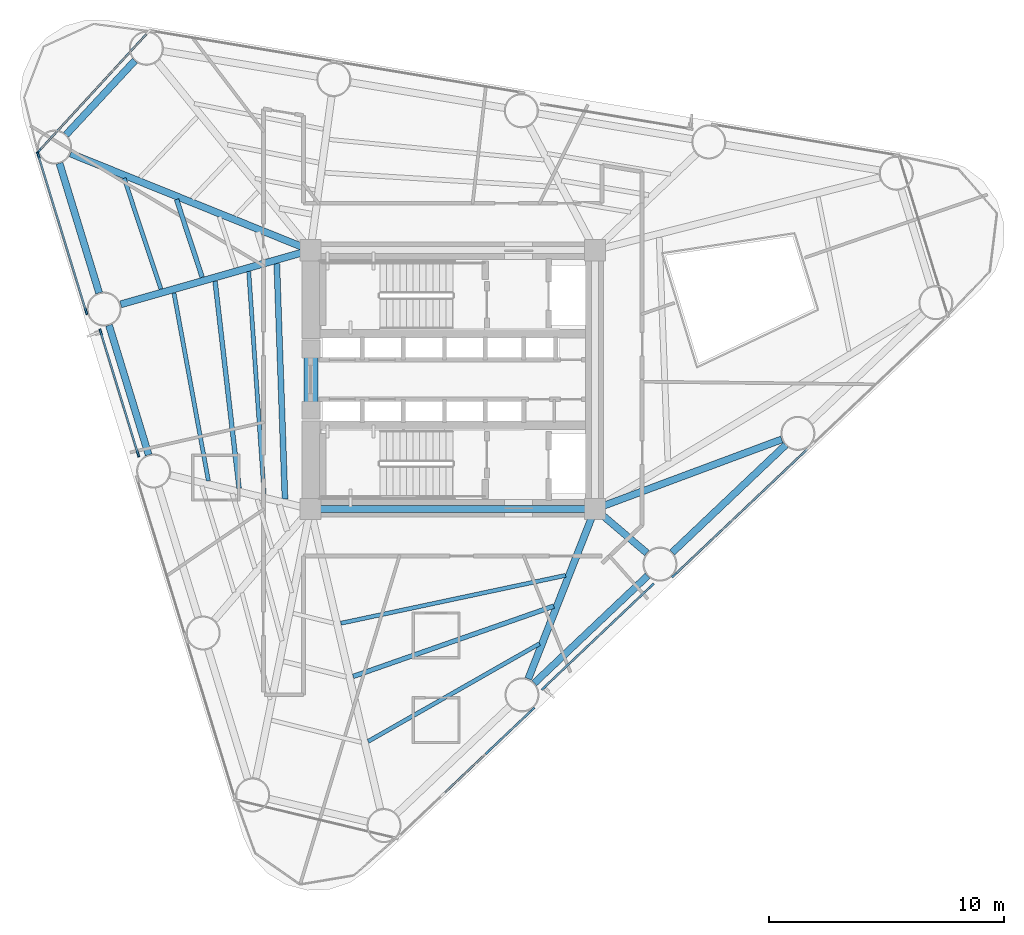
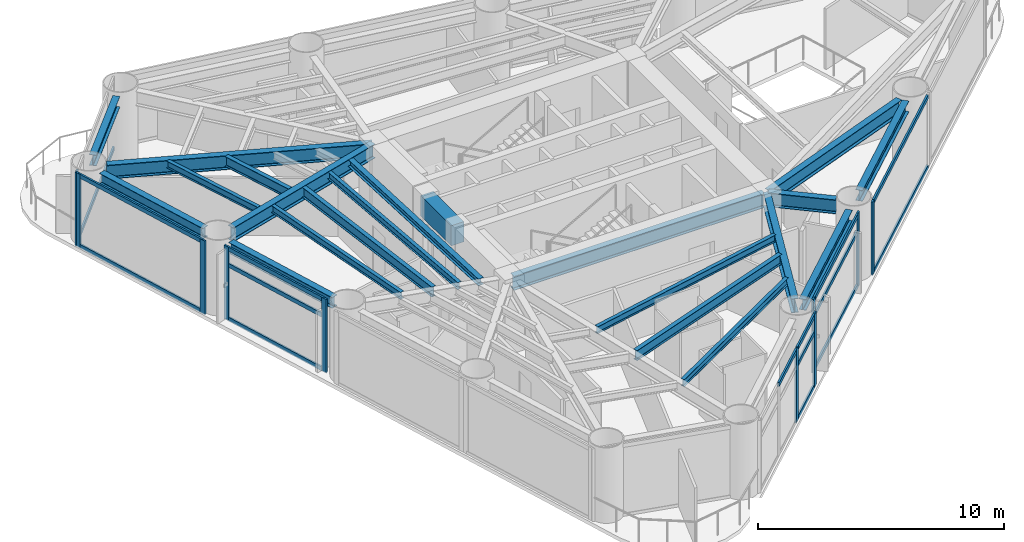
# One storey, part 2 of 10: 25 members, 21 beams, 6 elements without a shape of their own.
"""IFC4 building model written with IfcOpenShell, lengths in metres."""

from ifc_helpers import new_model, si_unit, direction, frame, origin, origin_2d, place, context, subcontext, project, spatial, rectangle, i_section, extrude, source, transform, mapped, material, layer, layer_set, material_profile, profile_set, type_object, element, aggregate, save


model = new_model("IFC4")

# Units and contexts
model_context = context("Model", 3, precision=1e-05, world=origin(), true_north=direction((0.0, 1.0)))
body_context = subcontext(model_context, "Body", "Model", "MODEL_VIEW")
ifc_project = project(units=[si_unit("LENGTHUNIT", "METRE"), si_unit("AREAUNIT", "SQUARE_METRE"), si_unit("VOLUMEUNIT", "CUBIC_METRE"), si_unit("PLANEANGLEUNIT", "RADIAN"), si_unit("MASSUNIT", "GRAM", prefix="KILO")], contexts=[model_context])

# Site, building, storey
site_placement = place(None, origin())
site = spatial("IfcSite", under=ifc_project, at=site_placement, CompositionType="ELEMENT")
building_placement = place(site_placement, origin())
building = spatial("IfcBuilding", under=site, at=building_placement, Name="Yunling Apex Tower", CompositionType="ELEMENT")
storey_placement = place(building_placement, frame((0.0, 0.0, 93.64990234375)))
storey = spatial("IfcBuildingStorey", under=building, at=storey_placement, Name="L23", CompositionType="ELEMENT", Elevation=93.64990234375)

# Beams
ifc_material_1 = material(Name="Concrete C60", Category="concrete")
ifc_material_profile_1 = material_profile(ifc_material_1, rectangle(XDim=0.60009765625, YDim=1.0, at=origin_2d()))
ifc_profile_set_1 = profile_set([ifc_material_profile_1], Name="Concrete C60")
beam_type_1 = type_object("IfcBeamType", Name="BC-CPL-1", PredefinedType="BEAM", material=ifc_profile_set_1)
shared_shape_1 = source(origin(), body_context, "Body", "SweptSolid", [
    extrude(rectangle(XDim=0.60009765625, YDim=1.0, at=origin_2d()), origin(), (0.0, 0.0, 1.0), 2.5),
])
beam_1_placement = place(storey_placement, frame((-6.02490234375, -1.25, 3.065185546875), z_axis=(0.0, 1.0, 0.0), x_axis=(-1.0, 0.0, 0.0)))
element("IfcBeam", 1, at=beam_1_placement, inside=storey, type_object=beam_type_1, Name="L23 Core West Portal Coupling Beam", PredefinedType="BEAM", context=body_context, shape_type="MappedRepresentation", body=[
    mapped(shared_shape_1, transform((0.0, 0.0, 0.0), scale=1.0)),
])
ifc_material_2 = material(Name="Steel Q355B", Category="steel")
ifc_material_profile_2 = material_profile(ifc_material_2, i_section(OverallWidth=0.300048828125, OverallDepth=0.699951171875, WebThickness=0.012939453125, FlangeThickness=0.02392578125, FilletRadius=0.02587890625, at=origin_2d()))
ifc_profile_set_2 = profile_set([ifc_material_profile_2], Name="Steel Q355B")
beam_type_2 = type_object("IfcBeamType", Name="BG-PRI-3", PredefinedType="USERDEFINED", material=ifc_profile_set_2)
shared_shape_2 = source(origin(), body_context, "Body", "SweptSolid", [
    extrude(i_section(OverallWidth=0.300048828125, OverallDepth=0.699951171875, WebThickness=0.012939453125, FlangeThickness=0.02392578125, FilletRadius=0.02587890625, at=origin_2d()), origin(), (0.0, 0.0, 1.0), 11.7998046875),
])
beam_2_placement = place(storey_placement, frame((-5.89990234375, -5.5, 3.215087890625), z_axis=(1.0, 0.0, 0.0), x_axis=(0.0, 1.0, 0.0)))
element("IfcBeam", 2, at=beam_2_placement, inside=storey, type_object=beam_type_2, Name="L23 Core Ring Tie Beam 1", ObjectType="GIRDER", PredefinedType="USERDEFINED", context=body_context, shape_type="MappedRepresentation", body=[
    mapped(shared_shape_2, transform((0.0, 0.0, 0.0), scale=1.0)),
])
ifc_material_profile_3 = material_profile(ifc_material_2, i_section(OverallWidth=0.300048828125, OverallDepth=0.5400390625, WebThickness=0.011962890625, FlangeThickness=0.02001953125, FilletRadius=0.02392578125, at=origin_2d()))
ifc_profile_set_3 = profile_set([ifc_material_profile_3], Name="Steel Q355B")
beam_type_3 = type_object("IfcBeamType", Name="BP-SPN-1", PredefinedType="SPANDREL", material=ifc_profile_set_3)
shared_shape_3 = source(origin(), body_context, "Body", "SweptSolid", [
    extrude(i_section(OverallWidth=0.300048828125, OverallDepth=0.5400390625, WebThickness=0.011962890625, FlangeThickness=0.02001953125, FilletRadius=0.02392578125, at=origin_2d()), origin(), (0.0, 0.0, 1.0), 6.6416015625),
])
for number, where, z_axis, x_axis, name in (
    (3, (3.465087890625, -12.90771484375, 3.295166015625), (0.725873473547, 0.687828249203, 0.0), (-0.687828249203, 0.725873473547, 0.0), "L23 Perimeter Spandrel Beam 2"),
    (4, (9.330078125, -7.35009765625, 3.295166015625), (0.72585608204, 0.687846602205, 0.0), (-0.687846602205, 0.72585608204, 0.0), "L23 Perimeter Spandrel Beam 3"),
):
    element("IfcBeam", number, at=place(storey_placement, frame(where, z_axis=z_axis, x_axis=x_axis)), inside=storey, type_object=beam_type_3, Name=name, PredefinedType="SPANDREL", context=body_context, shape_type="MappedRepresentation", body=[
        mapped(shared_shape_3, transform((0.0, 0.0, 0.0), scale=1.0)),
    ])
shared_shape_4 = source(origin(), body_context, "Body", "SweptSolid", [
    extrude(i_section(OverallWidth=0.300048828125, OverallDepth=0.5400390625, WebThickness=0.011962890625, FlangeThickness=0.02001953125, FilletRadius=0.02392578125, at=origin_2d()), origin(), (0.0, 0.0, 1.0), 4.296875),
])
beam_3_placement = place(storey_placement, frame((-13.513671875, 13.55810546875, 3.295166015625), z_axis=(-0.680634144105, -0.732623478929, 0.0), x_axis=(0.732623478929, -0.680634144105, 0.0)))
element("IfcBeam", 5, at=beam_3_placement, inside=storey, type_object=beam_type_3, Name="L23 Perimeter Spandrel Beam 10", PredefinedType="SPANDREL", context=body_context, shape_type="MappedRepresentation", body=[
    mapped(shared_shape_4, transform((0.0, 0.0, 0.0), scale=1.0)),
])
shared_shape_5 = source(origin(), body_context, "Body", "SweptSolid", [
    extrude(i_section(OverallWidth=0.300048828125, OverallDepth=0.5400390625, WebThickness=0.011962890625, FlangeThickness=0.02001953125, FilletRadius=0.02392578125, at=origin_2d()), origin(), (0.0, 0.0, 1.0), 5.76220703125),
])
for number, where, z_axis, x_axis, name in (
    (6, (-16.71728515625, 9.19580078125, 3.295166015625), (0.292346626925, -0.956312422656, 0.0), (0.956312422656, 0.292346626925, 0.0), "L23 Perimeter Spandrel Beam 11"),
    (7, (-14.6123046875, 2.31005859375, 3.295166015625), (0.292385374143, -0.956300576695, 0.0), (0.956300576695, 0.292385374143, 0.0), "L23 Perimeter Spandrel Beam 12"),
):
    element("IfcBeam", number, at=place(storey_placement, frame(where, z_axis=z_axis, x_axis=x_axis)), inside=storey, type_object=beam_type_3, Name=name, PredefinedType="SPANDREL", context=body_context, shape_type="MappedRepresentation", body=[
        mapped(shared_shape_5, transform((0.0, 0.0, 0.0), scale=1.0)),
    ])
shared_shape_6 = source(origin(), body_context, "Body", "SweptSolid", [
    extrude(i_section(OverallWidth=0.300048828125, OverallDepth=0.699951171875, WebThickness=0.012939453125, FlangeThickness=0.02392578125, FilletRadius=0.02587890625, at=origin_2d()), origin(), (0.0, 0.0, 1.0), 7.67822265625),
])
beam_4_placement = place(storey_placement, frame((3.21142578125, -12.72021484375, 3.215087890625), z_axis=(0.365885513893, 0.930659868439, 0.0), x_axis=(-0.930659868439, 0.365885513893, 0.0)))
element("IfcBeam", 8, at=beam_4_placement, inside=storey, type_object=beam_type_2, Name="L23 Radial Primary Girder R02", ObjectType="GIRDER", PredefinedType="USERDEFINED", context=body_context, shape_type="MappedRepresentation", body=[
    mapped(shared_shape_6, transform((0.0, 0.0, 0.0), scale=1.0)),
])
shared_shape_7 = source(origin(), body_context, "Body", "SweptSolid", [
    extrude(i_section(OverallWidth=0.300048828125, OverallDepth=0.699951171875, WebThickness=0.012939453125, FlangeThickness=0.02392578125, FilletRadius=0.02587890625, at=origin_2d()), origin(), (0.0, 0.0, 1.0), 2.80712890625),
])
beam_5_placement = place(storey_placement, frame((8.24951171875, -7.3701171875, 3.215087890625), z_axis=(-0.761816983267, 0.647792315489, 0.0), x_axis=(-0.647792315489, -0.761816983267, 0.0)))
element("IfcBeam", 9, at=beam_5_placement, inside=storey, type_object=beam_type_2, Name="L23 Radial Primary Girder R03", ObjectType="GIRDER", PredefinedType="USERDEFINED", context=body_context, shape_type="MappedRepresentation", body=[
    mapped(shared_shape_7, transform((0.0, 0.0, 0.0), scale=1.0)),
])
shared_shape_8 = source(origin(), body_context, "Body", "SweptSolid", [
    extrude(i_section(OverallWidth=0.300048828125, OverallDepth=0.699951171875, WebThickness=0.012939453125, FlangeThickness=0.02392578125, FilletRadius=0.02587890625, at=origin_2d()), origin(), (0.0, 0.0, 1.0), 8.388916015625),
])
beam_6_placement = place(storey_placement, frame((13.98583984375, -2.54296875, 3.215087890625), z_axis=(-0.937056723422, -0.349177171489, 0.0), x_axis=(0.349177171489, -0.937056723422, 0.0)))
element("IfcBeam", 10, at=beam_6_placement, inside=storey, type_object=beam_type_2, Name="L23 Radial Primary Girder R04", ObjectType="GIRDER", PredefinedType="USERDEFINED", context=body_context, shape_type="MappedRepresentation", body=[
    mapped(shared_shape_8, transform((0.0, 0.0, 0.0), scale=1.0)),
])
shared_shape_9 = source(origin(), body_context, "Body", "SweptSolid", [
    extrude(i_section(OverallWidth=0.300048828125, OverallDepth=0.699951171875, WebThickness=0.012939453125, FlangeThickness=0.02392578125, FilletRadius=0.02587890625, at=origin_2d()), origin(), (0.0, 0.0, 1.0), 10.91455078125),
])
beam_7_placement = place(storey_placement, frame((-16.247802734375, 9.609375, 3.215087890625), z_axis=(0.927520283233, -0.373772824309, 0.0), x_axis=(0.373772824309, 0.927520283233, 0.0)))
element("IfcBeam", 11, at=beam_7_placement, inside=storey, type_object=beam_type_2, Name="L23 Radial Primary Girder R11", ObjectType="GIRDER", PredefinedType="USERDEFINED", context=body_context, shape_type="MappedRepresentation", body=[
    mapped(shared_shape_9, transform((0.0, 0.0, 0.0), scale=1.0)),
])
shared_shape_10 = source(origin(), body_context, "Body", "SweptSolid", [
    extrude(i_section(OverallWidth=0.300048828125, OverallDepth=0.699951171875, WebThickness=0.012939453125, FlangeThickness=0.02392578125, FilletRadius=0.02587890625, at=origin_2d()), origin(), (0.0, 0.0, 1.0), 8.309326171875),
])
beam_8_placement = place(storey_placement, frame((-14.117431640625, 3.19873046875, 3.215087890625), z_axis=(0.961641387397, 0.274309755652, 0.0), x_axis=(-0.274309755652, 0.961641387397, 0.0)))
element("IfcBeam", 12, at=beam_8_placement, inside=storey, type_object=beam_type_2, Name="L23 Radial Primary Girder R12", ObjectType="GIRDER", PredefinedType="USERDEFINED", context=body_context, shape_type="MappedRepresentation", body=[
    mapped(shared_shape_10, transform((0.0, 0.0, 0.0), scale=1.0)),
])
ifc_material_profile_4 = material_profile(ifc_material_2, i_section(OverallWidth=0.199951171875, OverallDepth=0.5, WebThickness=0.010009765625, FlangeThickness=0.01611328125, FilletRadius=0.02001953125, at=origin_2d()))
ifc_profile_set_4 = profile_set([ifc_material_profile_4], Name="Steel Q355B")
beam_type_4 = type_object("IfcBeamType", Name="BS-SEC-2", PredefinedType="BEAM", material=ifc_profile_set_4)
shared_shape_11 = source(origin(), body_context, "Body", "SweptSolid", [
    extrude(i_section(OverallWidth=0.199951171875, OverallDepth=0.5, WebThickness=0.010009765625, FlangeThickness=0.01611328125, FilletRadius=0.02001953125, at=origin_2d()), origin(), (0.0, 0.0, 1.0), 9.03759765625),
])
beam_9_placement = place(storey_placement, frame((-4.23193359375, -12.619140625, 3.315185546875), z_axis=(0.943677540759, 0.330866588018, 0.0), x_axis=(-0.330866588018, 0.943677540759, 0.0)))
element("IfcBeam", 13, at=beam_9_placement, inside=storey, type_object=beam_type_4, Name="L23 Composite Floor Beam BS-1", PredefinedType="BEAM", context=body_context, shape_type="MappedRepresentation", body=[
    mapped(shared_shape_11, transform((0.0, 0.0, 0.0), scale=1.0)),
])
ifc_material_profile_5 = material_profile(ifc_material_2, i_section(OverallWidth=0.175048828125, OverallDepth=0.35009765625, WebThickness=0.007080078125, FlangeThickness=0.010986328125, FilletRadius=0.013916015625, at=origin_2d()))
ifc_profile_set_5 = profile_set([ifc_material_profile_5], Name="Steel Q355B")
beam_type_5 = type_object("IfcBeamType", Name="BJ-JST-1", PredefinedType="JOIST", material=ifc_profile_set_5)
shared_shape_12 = source(origin(), body_context, "Body", "SweptSolid", [
    extrude(i_section(OverallWidth=0.175048828125, OverallDepth=0.35009765625, WebThickness=0.007080078125, FlangeThickness=0.010986328125, FilletRadius=0.013916015625, at=origin_2d()), origin(), (0.0, 0.0, 1.0), 8.38671875),
])
beam_10_placement = place(storey_placement, frame((-3.59619140625, -15.3798828125, 3.39013671875), z_axis=(0.868817593772, 0.495132294192, 0.0), x_axis=(-0.495132294192, 0.868817593772, 0.0)))
element("IfcBeam", 14, at=beam_10_placement, inside=storey, type_object=beam_type_5, Name="L23 Composite Floor Joist BJ1-1", PredefinedType="JOIST", context=body_context, shape_type="MappedRepresentation", body=[
    mapped(shared_shape_12, transform((0.0, 0.0, 0.0), scale=1.0)),
])
shared_shape_13 = source(origin(), body_context, "Body", "SweptSolid", [
    extrude(i_section(OverallWidth=0.175048828125, OverallDepth=0.35009765625, WebThickness=0.007080078125, FlangeThickness=0.010986328125, FilletRadius=0.013916015625, at=origin_2d()), origin(), (0.0, 0.0, 1.0), 9.767578125),
])
beam_11_placement = place(storey_placement, frame((-4.756591796875, -10.3583984375, 3.39013671875), z_axis=(0.978052637888, 0.208357955263, 0.0), x_axis=(-0.208357955263, 0.978052637888, 0.0)))
element("IfcBeam", 15, at=beam_11_placement, inside=storey, type_object=beam_type_5, Name="L23 Composite Floor Joist BJ3-1", PredefinedType="JOIST", context=body_context, shape_type="MappedRepresentation", body=[
    mapped(shared_shape_13, transform((0.0, 0.0, 0.0), scale=1.0)),
])
shared_shape_14 = source(origin(), body_context, "Body", "SweptSolid", [
    extrude(i_section(OverallWidth=0.199951171875, OverallDepth=0.5, WebThickness=0.010009765625, FlangeThickness=0.01611328125, FilletRadius=0.02001953125, at=origin_2d()), origin(), (0.0, 0.0, 1.0), 3.484130859375),
])
beam_12_placement = place(storey_placement, frame((-11.7431640625, 7.662353515625, 3.315185546875), z_axis=(0.313220106306, -0.949680559455, 0.0), x_axis=(0.949680559455, 0.313220106306, 0.0)))
element("IfcBeam", 16, at=beam_12_placement, inside=storey, type_object=beam_type_4, Name="L23 Composite Floor Beam BS-11", PredefinedType="BEAM", context=body_context, shape_type="MappedRepresentation", body=[
    mapped(shared_shape_14, transform((0.0, 0.0, 0.0), scale=1.0)),
])
shared_shape_15 = source(origin(), body_context, "Body", "SweptSolid", [
    extrude(i_section(OverallWidth=0.175048828125, OverallDepth=0.35009765625, WebThickness=0.007080078125, FlangeThickness=0.010986328125, FilletRadius=0.013916015625, at=origin_2d()), origin(), (0.0, 0.0, 1.0), 4.959716796875),
])
beam_13_placement = place(storey_placement, frame((-13.97021484375, 8.56005859375, 3.39013671875), z_axis=(0.314588147489, -0.949228264149, 0.0), x_axis=(0.949228264149, 0.314588147489, 0.0)))
element("IfcBeam", 17, at=beam_13_placement, inside=storey, type_object=beam_type_5, Name="L23 Composite Floor Joist BJ1-11", PredefinedType="JOIST", context=body_context, shape_type="MappedRepresentation", body=[
    mapped(shared_shape_15, transform((0.0, 0.0, 0.0), scale=1.0)),
])
shared_shape_16 = source(origin(), body_context, "Body", "SweptSolid", [
    extrude(i_section(OverallWidth=0.199951171875, OverallDepth=0.5, WebThickness=0.010009765625, FlangeThickness=0.01611328125, FilletRadius=0.02001953125, at=origin_2d()), origin(), (0.0, 0.0, 1.0), 8.85009765625),
])
beam_14_placement = place(storey_placement, frame((-10.103759765625, 4.179443359375, 3.315185546875), z_axis=(0.115144483353, -0.993348754443, 0.0), x_axis=(0.993348754443, 0.115144483353, 0.0)))
element("IfcBeam", 18, at=beam_14_placement, inside=storey, type_object=beam_type_4, Name="L23 Composite Floor Beam BS-12", PredefinedType="BEAM", context=body_context, shape_type="MappedRepresentation", body=[
    mapped(shared_shape_16, transform((0.0, 0.0, 0.0), scale=1.0)),
])
shared_shape_17 = source(origin(), body_context, "Body", "SweptSolid", [
    extrude(i_section(OverallWidth=0.175048828125, OverallDepth=0.35009765625, WebThickness=0.007080078125, FlangeThickness=0.010986328125, FilletRadius=0.013916015625, at=origin_2d()), origin(), (0.0, 0.0, 1.0), 8.113525390625),
])
beam_15_placement = place(storey_placement, frame((-11.851318359375, 3.6796875, 3.39013671875), z_axis=(0.180333691295, -0.983605489912, 0.0), x_axis=(0.983605489912, 0.180333691295, 0.0)))
element("IfcBeam", 19, at=beam_15_placement, inside=storey, type_object=beam_type_5, Name="L23 Composite Floor Joist BJ1-12", PredefinedType="JOIST", context=body_context, shape_type="MappedRepresentation", body=[
    mapped(shared_shape_17, transform((0.0, 0.0, 0.0), scale=1.0)),
])
shared_shape_18 = source(origin(), body_context, "Body", "SweptSolid", [
    extrude(i_section(OverallWidth=0.175048828125, OverallDepth=0.35009765625, WebThickness=0.007080078125, FlangeThickness=0.010986328125, FilletRadius=0.013916015625, at=origin_2d()), origin(), (0.0, 0.0, 1.0), 9.478515625),
])
beam_16_placement = place(storey_placement, frame((-8.6728515625, 4.589111328125, 3.39013671875), z_axis=(0.068925846819, -0.997621785869, 0.0), x_axis=(0.997621785869, 0.068925846819, 0.0)))
element("IfcBeam", 20, at=beam_16_placement, inside=storey, type_object=beam_type_5, Name="L23 Composite Floor Joist BJ3-12", PredefinedType="JOIST", context=body_context, shape_type="MappedRepresentation", body=[
    mapped(shared_shape_18, transform((0.0, 0.0, 0.0), scale=1.0)),
])
ifc_material_profile_6 = material_profile(ifc_material_2, i_section(OverallWidth=0.25, OverallDepth=0.340087890625, WebThickness=0.009033203125, FlangeThickness=0.013916015625, FilletRadius=0.01806640625, at=origin_2d()))
ifc_profile_set_6 = profile_set([ifc_material_profile_6], Name="Steel Q355B")
beam_type_6 = type_object("IfcBeamType", Name="BJ-JST-2", PredefinedType="JOIST", material=ifc_profile_set_6)
shared_shape_19 = source(origin(), body_context, "Body", "SweptSolid", [
    extrude(i_section(OverallWidth=0.25, OverallDepth=0.340087890625, WebThickness=0.009033203125, FlangeThickness=0.013916015625, FilletRadius=0.01806640625, at=origin_2d()), origin(), (0.0, 0.0, 1.0), 10.016357421875),
])
beam_17_placement = place(storey_placement, frame((-7.479736328125, 4.9306640625, 3.39501953125), z_axis=(0.034684741857, -0.999398303322, 0.0), x_axis=(0.999398303322, 0.034684741857, 0.0)))
element("IfcBeam", 21, at=beam_17_placement, inside=storey, type_object=beam_type_6, Name="L23 Composite Floor Joist BJ2-12", PredefinedType="JOIST", context=body_context, shape_type="MappedRepresentation", body=[
    mapped(shared_shape_19, transform((0.0, 0.0, 0.0), scale=1.0)),
])

# Curtain wall, members
ifc_material_3 = material(Name="Bronze anodised aluminium", Category="aluminium")
ifc_layer = layer(ifc_material_3, 0.260009765625)
ifc_layer_set = layer_set([ifc_layer], Name="Bronze anodised aluminium")
curtain_wall_type = type_object("IfcCurtainWallType", Name="CW-SYS-2", PredefinedType="NOTDEFINED", material=ifc_layer_set)
curtain_wall_1_placement = place(storey_placement, origin())
curtain_wall_1 = element("IfcCurtainWall", 22, at=curtain_wall_1_placement, inside=storey, type_object=curtain_wall_type, Name="CW-L23-F1-B1", PredefinedType="NOTDEFINED")
ifc_material_profile_7 = material_profile(ifc_material_3, rectangle(XDim=0.0849609375, YDim=0.260009765625, at=origin_2d()))
ifc_profile_set_7 = profile_set([ifc_material_profile_7], Name="Bronze anodised aluminium")
member_type_1 = type_object("IfcMemberType", Name="CW-MUL-2", PredefinedType="MULLION", material=ifc_profile_set_7)
shared_shape_20 = source(origin(), body_context, "Body", "SweptSolid", [
    extrude(rectangle(XDim=0.0849609375, YDim=0.260009765625, at=origin_2d()), origin(), (0.0, 0.0, 1.0), 3.664794921875),
])
member_1_placement = place(storey_placement, frame((1.491943359375, -15.824951171875, -0.0498046875), z_axis=(0.0, 0.0, 1.0), x_axis=(-0.687861264918, 0.72584218686, 0.0)))
member_1 = element("IfcMember", 23, at=member_1_placement, type_object=member_type_1, Name="CW-SYS-2 mullion 3", PredefinedType="MULLION", context=body_context, shape_type="MappedRepresentation", body=[
    mapped(shared_shape_20, transform((0.0, 0.0, 0.0), scale=1.0)),
])
member_2_placement = place(storey_placement, frame((3.377197265625, -14.038330078125, -0.0498046875), z_axis=(0.0, 0.0, 1.0), x_axis=(-0.687861264918, 0.72584218686, 0.0)))
member_2 = element("IfcMember", 24, at=member_2_placement, type_object=member_type_1, Name="CW-SYS-2 mullion 4", PredefinedType="MULLION", context=body_context, shape_type="MappedRepresentation", body=[
    mapped(shared_shape_20, transform((0.0, 0.0, 0.0), scale=1.0)),
])

curtain_wall_2_placement = place(storey_placement, origin())
curtain_wall_2 = element("IfcCurtainWall", 25, at=curtain_wall_2_placement, inside=storey, type_object=curtain_wall_type, Name="CW-L23-F1-B2", PredefinedType="NOTDEFINED")
member_3_placement = place(storey_placement, frame((3.87646484375, -13.096923828125, -0.0498046875), z_axis=(0.0, 0.0, 1.0), x_axis=(-0.687844480924, 0.725858092234, 0.0)))
member_3 = element("IfcMember", 26, at=member_3_placement, type_object=member_type_1, Name="CW-SYS-2 mullion 1", PredefinedType="MULLION", context=body_context, shape_type="MappedRepresentation", body=[
    mapped(shared_shape_20, transform((0.0, 0.0, 0.0), scale=1.0)),
])
member_4_placement = place(storey_placement, frame((8.452880859375, -8.76025390625, -0.0498046875), z_axis=(0.0, 0.0, 1.0), x_axis=(-0.687844480924, 0.725858092234, 0.0)))
member_4 = element("IfcMember", 27, at=member_4_placement, type_object=member_type_1, Name="CW-SYS-2 mullion 2", PredefinedType="MULLION", context=body_context, shape_type="MappedRepresentation", body=[
    mapped(shared_shape_20, transform((0.0, 0.0, 0.0), scale=1.0)),
])

# Curtain wall, member
curtain_wall_3_placement = place(storey_placement, origin())
curtain_wall_3 = element("IfcCurtainWall", 28, at=curtain_wall_3_placement, inside=storey, type_object=curtain_wall_type, Name="CW-L23-F1-B3", PredefinedType="NOTDEFINED")
member_5_placement = place(storey_placement, frame((9.419921875, -8.312255859375, -0.0498046875), z_axis=(0.0, 0.0, 1.0), x_axis=(-0.687861264918, 0.72584218686, 0.0)))
member_5 = element("IfcMember", 29, at=member_5_placement, type_object=member_type_1, Name="CW-SYS-2 mullion 1", PredefinedType="MULLION", context=body_context, shape_type="MappedRepresentation", body=[
    mapped(shared_shape_20, transform((0.0, 0.0, 0.0), scale=1.0)),
])

curtain_wall_4_placement = place(storey_placement, origin())
curtain_wall_4 = element("IfcCurtainWall", 30, at=curtain_wall_4_placement, inside=storey, type_object=curtain_wall_type, Name="CW-L23-CRN2", PredefinedType="NOTDEFINED")
member_6_placement = place(storey_placement, frame((-17.6064453125, 9.6982421875, -0.0498046875), z_axis=(0.0, 0.0, 1.0), x_axis=(0.736184624933, -0.676780760669, 0.0)))
member_6 = element("IfcMember", 31, at=member_6_placement, type_object=member_type_1, Name="CW-SYS-2 mullion 2", PredefinedType="MULLION", context=body_context, shape_type="MappedRepresentation", body=[
    mapped(shared_shape_20, transform((0.0, 0.0, 0.0), scale=1.0)),
])

# Curtain wall, members
curtain_wall_5_placement = place(storey_placement, origin())
curtain_wall_5 = element("IfcCurtainWall", 32, at=curtain_wall_5_placement, inside=storey, type_object=curtain_wall_type, Name="CW-L23-F3-B1", PredefinedType="NOTDEFINED")
member_7_placement = place(storey_placement, frame((-17.61865234375, 9.5439453125, -0.0498046875), z_axis=(0.0, 0.0, 1.0), x_axis=(0.956304476342, 0.292372619321, 0.0)))
member_7 = element("IfcMember", 33, at=member_7_placement, type_object=member_type_1, Name="CW-SYS-2 mullion 1", PredefinedType="MULLION", context=body_context, shape_type="MappedRepresentation", body=[
    mapped(shared_shape_20, transform((0.0, 0.0, 0.0), scale=1.0)),
])
member_8_placement = place(storey_placement, frame((-15.5849609375, 2.892578125, -0.0498046875), z_axis=(0.0, 0.0, 1.0), x_axis=(0.956304476342, 0.292372619321, 0.0)))
member_8 = element("IfcMember", 34, at=member_8_placement, type_object=member_type_1, Name="CW-SYS-2 mullion 2", PredefinedType="MULLION", context=body_context, shape_type="MappedRepresentation", body=[
    mapped(shared_shape_20, transform((0.0, 0.0, 0.0), scale=1.0)),
])

curtain_wall_6_placement = place(storey_placement, origin())
curtain_wall_6 = element("IfcCurtainWall", 35, at=curtain_wall_6_placement, inside=storey, type_object=curtain_wall_type, Name="CW-L23-F3-B2", PredefinedType="NOTDEFINED")
member_9_placement = place(storey_placement, frame((-14.964599609375, 2.026123046875, -0.0498046875), z_axis=(0.0, 0.0, 1.0), x_axis=(0.956307182672, 0.292363767199, 0.0)))
member_9 = element("IfcMember", 36, at=member_9_placement, type_object=member_type_1, Name="CW-SYS-2 mullion 1", PredefinedType="MULLION", context=body_context, shape_type="MappedRepresentation", body=[
    mapped(shared_shape_20, transform((0.0, 0.0, 0.0), scale=1.0)),
])
member_10_placement = place(storey_placement, frame((-13.37841796875, -3.162109375, -0.0498046875), z_axis=(0.0, 0.0, 1.0), x_axis=(0.956307182672, 0.292363767199, 0.0)))
member_10 = element("IfcMember", 37, at=member_10_placement, type_object=member_type_1, Name="CW-SYS-2 mullion 2", PredefinedType="MULLION", context=body_context, shape_type="MappedRepresentation", body=[
    mapped(shared_shape_20, transform((0.0, 0.0, 0.0), scale=1.0)),
])

# Member
ifc_material_profile_8 = material_profile(ifc_material_3, rectangle(XDim=0.0849609375, YDim=0.199951171875, at=origin_2d()))
ifc_profile_set_8 = profile_set([ifc_material_profile_8], Name="Bronze anodised aluminium")
member_type_2 = type_object("IfcMemberType", Name="CW-TRN-2", PredefinedType="USERDEFINED", material=ifc_profile_set_8)
shared_shape_21 = source(origin(), body_context, "Body", "SweptSolid", [
    extrude(rectangle(XDim=0.0849609375, YDim=0.199951171875, at=origin_2d()), origin(), (0.0, 0.0, 1.0), 2.563232421875),
])
member_11_placement = place(storey_placement, frame((-0.396484375, -17.614501953125, 3.522705078125), z_axis=(0.725852566003, 0.687850312515, 0.0), x_axis=(-0.687850312515, 0.725852566003, 0.0)))
member_11 = element("IfcMember", 38, at=member_11_placement, type_object=member_type_2, Name="CW-SYS-2 transom 2.3", ObjectType="TRANSOM", PredefinedType="USERDEFINED", context=body_context, shape_type="MappedRepresentation", body=[
    mapped(shared_shape_21, transform((0.0, 0.0, 0.0), scale=1.0)),
])

shared_shape_22 = source(origin(), body_context, "Body", "SweptSolid", [
    extrude(rectangle(XDim=0.0849609375, YDim=0.199951171875, at=origin_2d()), origin(), (0.0, 0.0, 1.0), 2.520751953125),
])
member_12_placement = place(storey_placement, frame((1.51953125, -15.798583984375, 0.04248046875), z_axis=(0.725881421947, 0.687819861063, 0.0), x_axis=(-0.687819861063, 0.725881421947, 0.0)))
member_12 = element("IfcMember", 39, at=member_12_placement, type_object=member_type_2, Name="CW-SYS-2 transom 3.1", ObjectType="TRANSOM", PredefinedType="USERDEFINED", context=body_context, shape_type="MappedRepresentation", body=[
    mapped(shared_shape_22, transform((0.0, 0.0, 0.0), scale=1.0)),
])

member_13_placement = place(storey_placement, frame((1.51953125, -15.798583984375, 2.715087890625), z_axis=(0.725881421947, 0.687819861063, 0.0), x_axis=(-0.687819861063, 0.725881421947, 0.0)))
member_13 = element("IfcMember", 40, at=member_13_placement, type_object=member_type_2, Name="CW-SYS-2 transom 3.2", ObjectType="TRANSOM", PredefinedType="USERDEFINED", context=body_context, shape_type="MappedRepresentation", body=[
    mapped(shared_shape_22, transform((0.0, 0.0, 0.0), scale=1.0)),
])

member_14_placement = place(storey_placement, frame((1.51953125, -15.798583984375, 3.522705078125), z_axis=(0.725881421947, 0.687819861063, 0.0), x_axis=(-0.687819861063, 0.725881421947, 0.0)))
member_14 = element("IfcMember", 41, at=member_14_placement, type_object=member_type_2, Name="CW-SYS-2 transom 3.3", ObjectType="TRANSOM", PredefinedType="USERDEFINED", context=body_context, shape_type="MappedRepresentation", body=[
    mapped(shared_shape_22, transform((0.0, 0.0, 0.0), scale=1.0)),
])

aggregate(curtain_wall_1, [member_1, member_2, member_11, member_12, member_13, member_14])

shared_shape_23 = source(origin(), body_context, "Body", "SweptSolid", [
    extrude(rectangle(XDim=0.0849609375, YDim=0.199951171875, at=origin_2d()), origin(), (0.0, 0.0, 1.0), 6.228271484375),
])
member_15_placement = place(storey_placement, frame((3.904296875, -13.070556640625, 0.04248046875), z_axis=(0.725843490466, 0.687859889329, 0.0), x_axis=(-0.687859889329, 0.725843490466, 0.0)))
member_15 = element("IfcMember", 42, at=member_15_placement, type_object=member_type_2, Name="CW-SYS-2 transom 1.1", ObjectType="TRANSOM", PredefinedType="USERDEFINED", context=body_context, shape_type="MappedRepresentation", body=[
    mapped(shared_shape_23, transform((0.0, 0.0, 0.0), scale=1.0)),
])

member_16_placement = place(storey_placement, frame((3.904296875, -13.070556640625, 2.715087890625), z_axis=(0.725843490466, 0.687859889329, 0.0), x_axis=(-0.687859889329, 0.725843490466, 0.0)))
member_16 = element("IfcMember", 43, at=member_16_placement, type_object=member_type_2, Name="CW-SYS-2 transom 1.2", ObjectType="TRANSOM", PredefinedType="USERDEFINED", context=body_context, shape_type="MappedRepresentation", body=[
    mapped(shared_shape_23, transform((0.0, 0.0, 0.0), scale=1.0)),
])

member_17_placement = place(storey_placement, frame((3.904296875, -13.070556640625, 3.522705078125), z_axis=(0.725843490466, 0.687859889329, 0.0), x_axis=(-0.687859889329, 0.725843490466, 0.0)))
member_17 = element("IfcMember", 44, at=member_17_placement, type_object=member_type_2, Name="CW-SYS-2 transom 1.3", ObjectType="TRANSOM", PredefinedType="USERDEFINED", context=body_context, shape_type="MappedRepresentation", body=[
    mapped(shared_shape_23, transform((0.0, 0.0, 0.0), scale=1.0)),
])

aggregate(curtain_wall_2, [member_3, member_4, member_15, member_16, member_17])

shared_shape_24 = source(origin(), body_context, "Body", "SweptSolid", [
    extrude(rectangle(XDim=0.0849609375, YDim=0.199951171875, at=origin_2d()), origin(), (0.0, 0.0, 1.0), 7.75830078125),
])
member_18_placement = place(storey_placement, frame((9.447509765625, -8.285888671875, 0.04248046875), z_axis=(0.725858408627, 0.687844147046, 0.0), x_axis=(-0.687844147046, 0.725858408627, 0.0)))
member_18 = element("IfcMember", 45, at=member_18_placement, type_object=member_type_2, Name="CW-SYS-2 transom 1.1", ObjectType="TRANSOM", PredefinedType="USERDEFINED", context=body_context, shape_type="MappedRepresentation", body=[
    mapped(shared_shape_24, transform((0.0, 0.0, 0.0), scale=1.0)),
])

member_19_placement = place(storey_placement, frame((9.447509765625, -8.285888671875, 3.522705078125), z_axis=(0.725858408627, 0.687844147046, 0.0), x_axis=(-0.687844147046, 0.725858408627, 0.0)))
member_19 = element("IfcMember", 46, at=member_19_placement, type_object=member_type_2, Name="CW-SYS-2 transom 1.2", ObjectType="TRANSOM", PredefinedType="USERDEFINED", context=body_context, shape_type="MappedRepresentation", body=[
    mapped(shared_shape_24, transform((0.0, 0.0, 0.0), scale=1.0)),
])

aggregate(curtain_wall_3, [member_5, member_18, member_19])

shared_shape_25 = source(origin(), body_context, "Body", "SweptSolid", [
    extrude(rectangle(XDim=0.0849609375, YDim=0.199951171875, at=origin_2d()), origin(), (0.0, 0.0, 1.0), 6.831298828125),
])
member_20_placement = place(storey_placement, frame((-12.957275390625, 14.755615234375, 0.04248046875), z_axis=(-0.676783953504, -0.73618168972, 0.0), x_axis=(0.73618168972, -0.676783953504, 0.0)))
member_20 = element("IfcMember", 47, at=member_20_placement, type_object=member_type_2, Name="CW-SYS-2 transom 1.1", ObjectType="TRANSOM", PredefinedType="USERDEFINED", context=body_context, shape_type="MappedRepresentation", body=[
    mapped(shared_shape_25, transform((0.0, 0.0, 0.0), scale=1.0)),
])

aggregate(curtain_wall_4, [member_6, member_20])

shared_shape_26 = source(origin(), body_context, "Body", "SweptSolid", [
    extrude(rectangle(XDim=0.0849609375, YDim=0.199951171875, at=origin_2d()), origin(), (0.0, 0.0, 1.0), 6.878662109375),
])
member_21_placement = place(storey_placement, frame((-17.607421875, 9.50732421875, 0.04248046875), z_axis=(0.29238444517, -0.956300860725, 0.0), x_axis=(0.956300860725, 0.29238444517, 0.0)))
member_21 = element("IfcMember", 48, at=member_21_placement, type_object=member_type_2, Name="CW-SYS-2 transom 1.1", ObjectType="TRANSOM", PredefinedType="USERDEFINED", context=body_context, shape_type="MappedRepresentation", body=[
    mapped(shared_shape_26, transform((0.0, 0.0, 0.0), scale=1.0)),
])

member_22_placement = place(storey_placement, frame((-17.607421875, 9.50732421875, 3.522705078125), z_axis=(0.29238444517, -0.956300860725, 0.0), x_axis=(0.956300860725, 0.29238444517, 0.0)))
member_22 = element("IfcMember", 49, at=member_22_placement, type_object=member_type_2, Name="CW-SYS-2 transom 1.2", ObjectType="TRANSOM", PredefinedType="USERDEFINED", context=body_context, shape_type="MappedRepresentation", body=[
    mapped(shared_shape_26, transform((0.0, 0.0, 0.0), scale=1.0)),
])

aggregate(curtain_wall_5, [member_7, member_8, member_21, member_22])

shared_shape_27 = source(origin(), body_context, "Body", "SweptSolid", [
    extrude(rectangle(XDim=0.0849609375, YDim=0.199951171875, at=origin_2d()), origin(), (0.0, 0.0, 1.0), 5.3486328125),
])
member_23_placement = place(storey_placement, frame((-14.953369140625, 1.989501953125, 0.04248046875), z_axis=(0.292356530711, -0.956309394992, 0.0), x_axis=(0.956309394992, 0.292356530711, 0.0)))
member_23 = element("IfcMember", 50, at=member_23_placement, type_object=member_type_2, Name="CW-SYS-2 transom 1.1", ObjectType="TRANSOM", PredefinedType="USERDEFINED", context=body_context, shape_type="MappedRepresentation", body=[
    mapped(shared_shape_27, transform((0.0, 0.0, 0.0), scale=1.0)),
])

member_24_placement = place(storey_placement, frame((-14.953369140625, 1.989501953125, 2.715087890625), z_axis=(0.292356530711, -0.956309394992, 0.0), x_axis=(0.956309394992, 0.292356530711, 0.0)))
member_24 = element("IfcMember", 51, at=member_24_placement, type_object=member_type_2, Name="CW-SYS-2 transom 1.2", ObjectType="TRANSOM", PredefinedType="USERDEFINED", context=body_context, shape_type="MappedRepresentation", body=[
    mapped(shared_shape_27, transform((0.0, 0.0, 0.0), scale=1.0)),
])

member_25_placement = place(storey_placement, frame((-14.953369140625, 1.989501953125, 3.522705078125), z_axis=(0.292356530711, -0.956309394992, 0.0), x_axis=(0.956309394992, 0.292356530711, 0.0)))
member_25 = element("IfcMember", 52, at=member_25_placement, type_object=member_type_2, Name="CW-SYS-2 transom 1.3", ObjectType="TRANSOM", PredefinedType="USERDEFINED", context=body_context, shape_type="MappedRepresentation", body=[
    mapped(shared_shape_27, transform((0.0, 0.0, 0.0), scale=1.0)),
])

aggregate(curtain_wall_6, [member_9, member_10, member_23, member_24, member_25])

save(model, "model.ifc")
